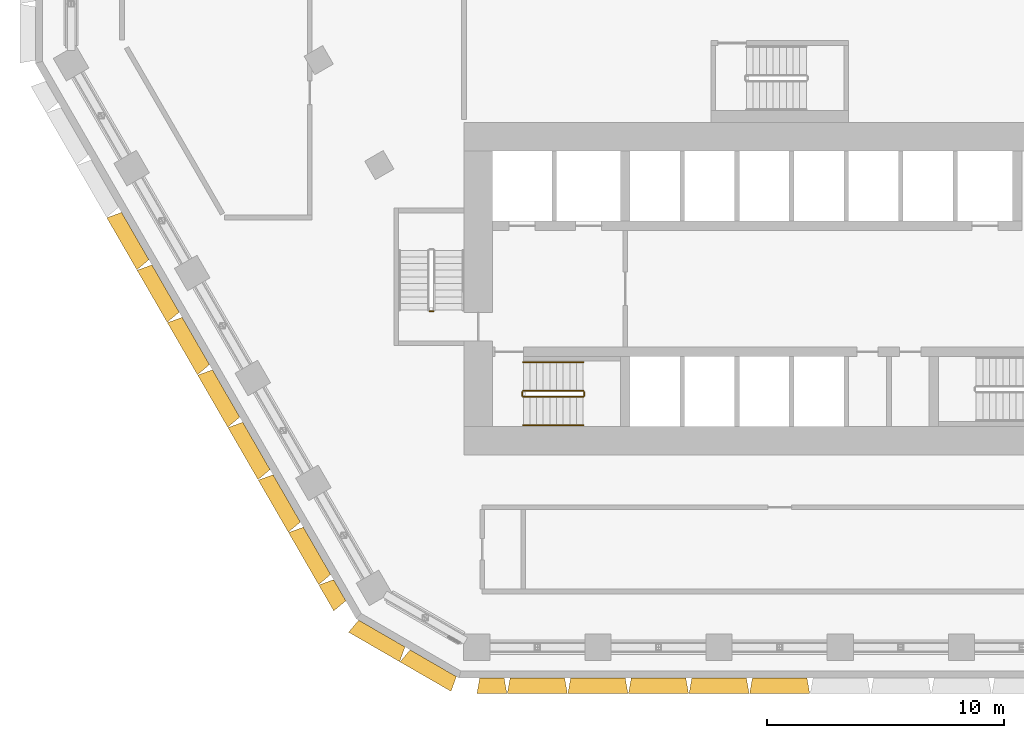
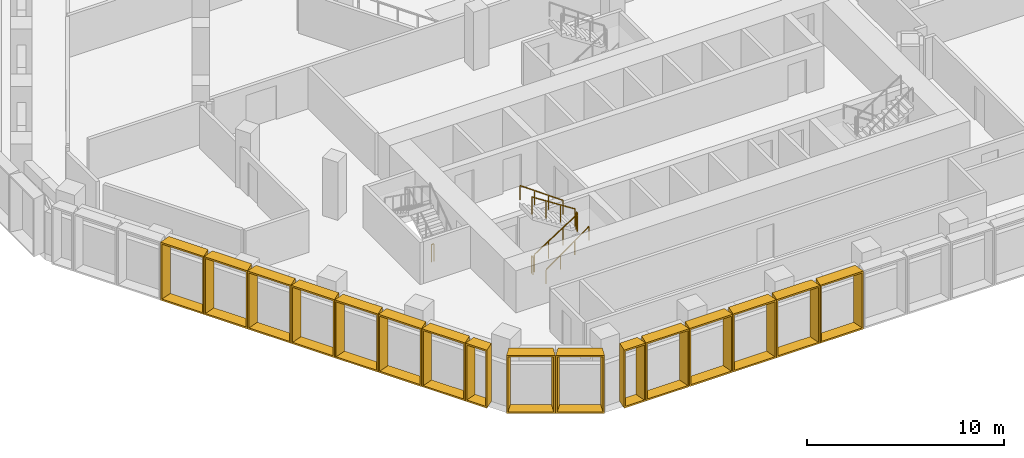
# One storey, part 19 of 22: 16 shading devices, 7 railings.
"""IFC4 building model written with IfcOpenShell, lengths in metres."""

from ifc_helpers import new_model, entity, si_unit, direction, frame, origin, origin_2d, place, context, subcontext, project, spatial, rectangle, extrude, source, transform, mapped, material, type_object, type_shapes, element, save


model = new_model("IFC4")

# Units and contexts
model_context = context("Model", 3, precision=1e-05, world=origin(), true_north=direction((0.0, 1.0)))
body_context = subcontext(model_context, "Body", "Model", "MODEL_VIEW")
ifc_project = project(units=[si_unit("LENGTHUNIT", "METRE"), si_unit("AREAUNIT", "SQUARE_METRE"), si_unit("VOLUMEUNIT", "CUBIC_METRE"), si_unit("PLANEANGLEUNIT", "RADIAN"), si_unit("MASSUNIT", "GRAM", prefix="KILO")], contexts=[model_context])

# Site, building, storey
site_placement = place(None, origin())
site = spatial("IfcSite", under=ifc_project, at=site_placement, CompositionType="ELEMENT")
building_placement = place(site_placement, origin())
building = spatial("IfcBuilding", under=site, at=building_placement, Name="Beryl Residences", CompositionType="ELEMENT")
storey_placement = place(building_placement, frame((0.0, 0.0, 62.39990234375)))
storey = spatial("IfcBuildingStorey", under=building, at=storey_placement, Name="L19", CompositionType="ELEMENT", Elevation=62.39990234375)

# Shading devices
ifc_material_1 = material(Name="Aluminium pale anodised", Category="aluminium")
shading_device_type_1 = type_object("IfcShadingDeviceType", Name="FR128-65A-H36 OUTER SKIN frame 650 mm deep, splay 10/10 deg, 1280 x 3600 mm cell", PredefinedType="USERDEFINED", material=ifc_material_1)
cartesian_point_1 = entity("IfcCartesianPoint", [-0.514892578125, 0.0])
cartesian_point_2 = entity("IfcCartesianPoint", [-0.433837890625, 0.10009765625])
cartesian_point_3 = entity("IfcCartesianPoint", [-0.629638671875, 0.0])
cartesian_point_4 = entity("IfcCartesianPoint", [-0.54833984375, 0.10009765625])
shared_shape_1 = source(origin(), body_context, "Body", "SweptSolid", [
    entity("IfcExtrudedAreaSolidTapered", entity("IfcArbitraryProfileDefWithVoids", "AREA", None, entity("IfcPolyline", [cartesian_point_1, entity("IfcCartesianPoint", [0.514892578125, 0.0]), entity("IfcCartesianPoint", [0.514892578125, 3.60009765625]), entity("IfcCartesianPoint", [-0.514892578125, 3.60009765625]), cartesian_point_1]), [entity("IfcPolyline", [cartesian_point_2, entity("IfcCartesianPoint", [0.433837890625, 0.10009765625]), entity("IfcCartesianPoint", [0.433837890625, 3.5]), entity("IfcCartesianPoint", [-0.433837890625, 3.5]), cartesian_point_2])]), entity("IfcAxis2Placement3D", entity("IfcCartesianPoint", [0.0, 0.0, 0.0]), entity("IfcDirection", [0.0, 1.0, 0.0]), entity("IfcDirection", [-1.0, 0.0, 0.0])), entity("IfcDirection", [0.0, 0.0, 1.0]), 0.64990234375, entity("IfcArbitraryProfileDefWithVoids", "AREA", None, entity("IfcPolyline", [cartesian_point_3, entity("IfcCartesianPoint", [0.629638671875, 0.0]), entity("IfcCartesianPoint", [0.629638671875, 3.60009765625]), entity("IfcCartesianPoint", [-0.629638671875, 3.60009765625]), cartesian_point_3]), [entity("IfcPolyline", [cartesian_point_4, entity("IfcCartesianPoint", [0.54833984375, 0.10009765625]), entity("IfcCartesianPoint", [0.54833984375, 3.5]), entity("IfcCartesianPoint", [-0.54833984375, 3.5]), cartesian_point_4])])),
])
type_shapes(shading_device_type_1, [shared_shape_1])
for number, where, z_axis, x_axis, name in (
    (1, (-18.533935546875, -24.698974609375, 0.0), (0.0, 0.0, 1.0), (-0.5, 0.866025403784, 0.0), "FR128-65A-H36 frame L19 SW 11"),
    (2, (-12.12109375, -28.39990234375, 0.0), (0.0, 0.0, 1.0), (-1.0, 0.0, 0.0), "FR128-65A-H36 frame L19 S 1"),
):
    element("IfcShadingDevice", number, at=place(storey_placement, frame(where, z_axis=z_axis, x_axis=x_axis)), inside=storey, type_object=shading_device_type_1, Name=name, ObjectType="OUTER SKIN", PredefinedType="USERDEFINED", context=body_context, shape_type="MappedRepresentation", body=[
        mapped(shared_shape_1, transform((0.0, 0.0, 0.0))),
    ])
ifc_material_2 = material(Name="Aluminium pale anodised", Category="aluminium")
shading_device_type_2 = type_object("IfcShadingDeviceType", Name="FR250-65A-H36 OUTER SKIN frame 650 mm deep, splay 10/10 deg, 2500 x 3600 mm cell", PredefinedType="USERDEFINED", material=ifc_material_2)
cartesian_point_5 = entity("IfcCartesianPoint", [-1.125, 0.0])
cartesian_point_6 = entity("IfcCartesianPoint", [-1.043701171875, 0.10009765625])
cartesian_point_7 = entity("IfcCartesianPoint", [-1.239501953125, 0.0])
cartesian_point_8 = entity("IfcCartesianPoint", [-1.158447265625, 0.10009765625])
shared_shape_2 = source(origin(), body_context, "Body", "SweptSolid", [
    entity("IfcExtrudedAreaSolidTapered", entity("IfcArbitraryProfileDefWithVoids", "AREA", None, entity("IfcPolyline", [cartesian_point_5, entity("IfcCartesianPoint", [1.125, 0.0]), entity("IfcCartesianPoint", [1.125, 3.60009765625]), entity("IfcCartesianPoint", [-1.125, 3.60009765625]), cartesian_point_5]), [entity("IfcPolyline", [cartesian_point_6, entity("IfcCartesianPoint", [1.043701171875, 0.10009765625]), entity("IfcCartesianPoint", [1.043701171875, 3.5]), entity("IfcCartesianPoint", [-1.043701171875, 3.5]), cartesian_point_6])]), entity("IfcAxis2Placement3D", entity("IfcCartesianPoint", [0.0, 0.0, 0.0]), entity("IfcDirection", [0.0, 1.0, 0.0]), entity("IfcDirection", [-1.0, 0.0, 0.0])), entity("IfcDirection", [0.0, 0.0, 1.0]), 0.64990234375, entity("IfcArbitraryProfileDefWithVoids", "AREA", None, entity("IfcPolyline", [cartesian_point_7, entity("IfcCartesianPoint", [1.239501953125, 0.0]), entity("IfcCartesianPoint", [1.239501953125, 3.60009765625]), entity("IfcCartesianPoint", [-1.239501953125, 3.60009765625]), cartesian_point_7]), [entity("IfcPolyline", [cartesian_point_8, entity("IfcCartesianPoint", [1.158447265625, 0.10009765625]), entity("IfcCartesianPoint", [1.158447265625, 3.5]), entity("IfcCartesianPoint", [-1.158447265625, 3.5]), cartesian_point_8])])),
])
type_shapes(shading_device_type_2, [shared_shape_2])
for number, where, z_axis, x_axis, name in (
    (3, (-16.758056640625, -26.52490234375, 0.0), (0.0, 0.0, 1.0), (-0.866025403784, 0.5, 0.0), "FR250-65A-H36 frame L19 SW-S 1"),
    (4, (-14.593017578125, -27.77490234375, 0.0), (0.0, 0.0, 1.0), (-0.866025403784, 0.5, 0.0), "FR250-65A-H36 frame L19 SW-S 2"),
):
    element("IfcShadingDevice", number, at=place(storey_placement, frame(where, z_axis=z_axis, x_axis=x_axis)), inside=storey, type_object=shading_device_type_2, Name=name, ObjectType="OUTER SKIN", PredefinedType="USERDEFINED", context=body_context, shape_type="MappedRepresentation", body=[
        mapped(shared_shape_2, transform((0.0, 0.0, 0.0))),
    ])
ifc_material_3 = material(Name="Aluminium pale anodised", Category="aluminium")
shading_device_type_3 = type_object("IfcShadingDeviceType", Name="FR255-65A-H36 OUTER SKIN frame 650 mm deep, splay 10/10 deg, 2550 x 3600 mm cell", PredefinedType="USERDEFINED", material=ifc_material_3)
cartesian_point_9 = entity("IfcCartesianPoint", [-1.14990234375, 0.0])
cartesian_point_10 = entity("IfcCartesianPoint", [-1.06884765625, 0.10009765625])
cartesian_point_11 = entity("IfcCartesianPoint", [-1.2646484375, 0.0])
cartesian_point_12 = entity("IfcCartesianPoint", [-1.183349609375, 0.10009765625])
shared_shape_3 = source(origin(), body_context, "Body", "SweptSolid", [
    entity("IfcExtrudedAreaSolidTapered", entity("IfcArbitraryProfileDefWithVoids", "AREA", None, entity("IfcPolyline", [cartesian_point_9, entity("IfcCartesianPoint", [1.14990234375, 0.0]), entity("IfcCartesianPoint", [1.14990234375, 3.60009765625]), entity("IfcCartesianPoint", [-1.14990234375, 3.60009765625]), cartesian_point_9]), [entity("IfcPolyline", [cartesian_point_10, entity("IfcCartesianPoint", [1.06884765625, 0.10009765625]), entity("IfcCartesianPoint", [1.06884765625, 3.5]), entity("IfcCartesianPoint", [-1.06884765625, 3.5]), cartesian_point_10])]), entity("IfcAxis2Placement3D", entity("IfcCartesianPoint", [0.0, 0.0, 0.0]), entity("IfcDirection", [0.0, 1.0, 0.0]), entity("IfcDirection", [-1.0, 0.0, 0.0])), entity("IfcDirection", [0.0, 0.0, 1.0]), 0.64990234375, entity("IfcArbitraryProfileDefWithVoids", "AREA", None, entity("IfcPolyline", [cartesian_point_11, entity("IfcCartesianPoint", [1.2646484375, 0.0]), entity("IfcCartesianPoint", [1.2646484375, 3.60009765625]), entity("IfcCartesianPoint", [-1.2646484375, 3.60009765625]), cartesian_point_11]), [entity("IfcPolyline", [cartesian_point_12, entity("IfcCartesianPoint", [1.183349609375, 0.10009765625]), entity("IfcCartesianPoint", [1.183349609375, 3.5]), entity("IfcCartesianPoint", [-1.183349609375, 3.5]), cartesian_point_12])])),
])
type_shapes(shading_device_type_3, [shared_shape_3])
for number, where, z_axis, x_axis, name in (
    (5, (-27.14599609375, -9.781005859375, 0.0), (0.0, 0.0, 1.0), (-0.5, 0.866025403784, 0.0), "FR255-65A-H36 frame L19 SW 4"),
    (6, (-25.8701171875, -11.990966796875, 0.0), (0.0, 0.0, 1.0), (-0.5, 0.866025403784, 0.0), "FR255-65A-H36 frame L19 SW 5"),
    (7, (-24.594970703125, -14.200927734375, 0.0), (0.0, 0.0, 1.0), (-0.5, 0.866025403784, 0.0), "FR255-65A-H36 frame L19 SW 6"),
    (8, (-23.319091796875, -16.410888671875, 0.0), (0.0, 0.0, 1.0), (-0.5, 0.866025403784, 0.0), "FR255-65A-H36 frame L19 SW 7"),
    (9, (-22.04296875, -18.62109375, 0.0), (0.0, 0.0, 1.0), (-0.5, 0.866025403784, 0.0), "FR255-65A-H36 frame L19 SW 8"),
    (10, (-20.76708984375, -20.8310546875, 0.0), (0.0, 0.0, 1.0), (-0.5, 0.866025403784, 0.0), "FR255-65A-H36 frame L19 SW 9"),
    (11, (-19.490966796875, -23.041015625, 0.0), (0.0, 0.0, 1.0), (-0.5, 0.866025403784, 0.0), "FR255-65A-H36 frame L19 SW 10"),
    (12, (-10.20703125, -28.39990234375, 0.0), (0.0, 0.0, 1.0), (-1.0, 0.0, 0.0), "FR255-65A-H36 frame L19 S 2"),
    (13, (-7.655029296875, -28.39990234375, 0.0), (0.0, 0.0, 1.0), (-1.0, 0.0, 0.0), "FR255-65A-H36 frame L19 S 3"),
    (14, (-5.10302734375, -28.39990234375, 0.0), (0.0, 0.0, 1.0), (-1.0, 0.0, 0.0), "FR255-65A-H36 frame L19 S 4"),
    (15, (-2.551025390625, -28.39990234375, 0.0), (0.0, 0.0, 1.0), (-1.0, 0.0, 0.0), "FR255-65A-H36 frame L19 S 5"),
    (16, (0.0009765625, -28.39990234375, 0.0), (0.0, 0.0, 1.0), (-1.0, 0.0, 0.0), "FR255-65A-H36 frame L19 S 6"),
):
    element("IfcShadingDevice", number, at=place(storey_placement, frame(where, z_axis=z_axis, x_axis=x_axis)), inside=storey, type_object=shading_device_type_3, Name=name, ObjectType="OUTER SKIN", PredefinedType="USERDEFINED", context=body_context, shape_type="MappedRepresentation", body=[
        mapped(shared_shape_3, transform((0.0, 0.0, 0.0))),
    ])

# Railings
ifc_material_4 = material(Name="Stainless steel balustrade with glass infill", Category="steel")
railing_type_1 = type_object("IfcRailingType", Name="SG1 stair guard 1100 mm", PredefinedType="GUARDRAIL", material=ifc_material_4)
railing_1_placement = place(storey_placement, frame((-10.800048828125, -16.550048828125, 0.18017578125)))
element("IfcRailing", 17, at=railing_1_placement, inside=storey, type_object=railing_type_1, Name="L19 ST-1 stair guard 1", PredefinedType="GUARDRAIL", context=body_context, shape_type="SweptSolid", body=[
    extrude(rectangle(XDim=0.048095703125, YDim=0.048095703125, at=origin_2d()), frame((0.0, 0.0, 1.076171875), z_axis=(0.841199657755, 0.0, 0.540724639528), x_axis=(0.0, 1.0, 0.0)), (0.0, 0.0, 1.0), 2.995849609375),
    extrude(rectangle(XDim=0.0419921875, YDim=0.0419921875, at=origin_2d()), origin(), (0.0, 0.0, 1.0), 1.052001953125),
    extrude(rectangle(XDim=0.0419921875, YDim=0.0419921875, at=origin_2d()), frame((0.840087890625, 0.0, 0.5400390625)), (0.0, 0.0, 1.0), 1.052001953125),
    extrude(rectangle(XDim=0.0419921875, YDim=0.0419921875, at=origin_2d()), frame((1.679931640625, 0.0, 1.079833984375)), (0.0, 0.0, 1.0), 1.052001953125),
    extrude(rectangle(XDim=0.0419921875, YDim=0.0419921875, at=origin_2d()), frame((2.52001953125, 0.0, 1.619873046875)), (0.0, 0.0, 1.0), 1.052001953125),
])
railing_2_placement = place(storey_placement, frame((-8.22998046875, -16.5, 1.800048828125)))
element("IfcRailing", 18, at=railing_2_placement, inside=storey, type_object=railing_type_1, Name="L19 ST-1 stair guard 2", PredefinedType="GUARDRAIL", context=body_context, shape_type="SweptSolid", body=[
    extrude(rectangle(XDim=0.048095703125, YDim=0.048095703125, at=origin_2d()), frame((0.0, 0.0, 1.076171875), z_axis=(0.0, 1.0, 0.0), x_axis=(-1.0, 0.0, 0.0)), (0.0, 0.0, 1.0), 0.14990234375),
    extrude(rectangle(XDim=0.0419921875, YDim=0.0419921875, at=origin_2d()), origin(), (0.0, 0.0, 1.0), 1.052001953125),
    extrude(rectangle(XDim=0.0419921875, YDim=0.0419921875, at=origin_2d()), frame((0.0, 0.14990234375, 0.0)), (0.0, 0.0, 1.0), 1.052001953125),
])
railing_3_placement = place(storey_placement, frame((-8.280029296875, -16.300048828125, 1.97998046875)))
element("IfcRailing", 19, at=railing_3_placement, inside=storey, type_object=railing_type_1, Name="L19 ST-1 stair guard 3", PredefinedType="GUARDRAIL", context=body_context, shape_type="SweptSolid", body=[
    extrude(rectangle(XDim=0.048095703125, YDim=0.048095703125, at=origin_2d()), frame((0.0, 0.0, 1.076171875), z_axis=(-0.841162588446, 0.0, 0.540782303519), x_axis=(0.0, -1.0, 0.0)), (0.0, 0.0, 1.0), 2.995849609375),
    extrude(rectangle(XDim=0.0419921875, YDim=0.0419921875, at=origin_2d()), origin(), (0.0, 0.0, 1.0), 1.052001953125),
    extrude(rectangle(XDim=0.0419921875, YDim=0.0419921875, at=origin_2d()), frame((-0.840087890625, 0.0, 0.5400390625)), (0.0, 0.0, 1.0), 1.052001953125),
    extrude(rectangle(XDim=0.0419921875, YDim=0.0419921875, at=origin_2d()), frame((-1.679931640625, 0.0, 1.080078125)), (0.0, 0.0, 1.0), 1.052001953125),
    extrude(rectangle(XDim=0.0419921875, YDim=0.0419921875, at=origin_2d()), frame((-2.52001953125, 0.0, 1.6201171875)), (0.0, 0.0, 1.0), 1.052001953125),
])
railing_4_placement = place(storey_placement, frame((-10.85009765625, -16.5, 0.0)))
element("IfcRailing", 20, at=railing_4_placement, inside=storey, type_object=railing_type_1, Name="L19 ST-1 stair guard 4", PredefinedType="GUARDRAIL", context=body_context, shape_type="SweptSolid", body=[
    extrude(rectangle(XDim=0.048095703125, YDim=0.048095703125, at=origin_2d()), frame((0.0, 0.0, 1.076171875), z_axis=(0.0, 1.0, 0.0), x_axis=(-1.0, 0.0, 0.0)), (0.0, 0.0, 1.0), 0.14990234375),
    extrude(rectangle(XDim=0.0419921875, YDim=0.0419921875, at=origin_2d()), origin(), (0.0, 0.0, 1.0), 1.052001953125),
    extrude(rectangle(XDim=0.0419921875, YDim=0.0419921875, at=origin_2d()), frame((0.0, 0.14990234375, 0.0)), (0.0, 0.0, 1.0), 1.052001953125),
])
railing_5_placement = place(storey_placement, frame((-14.60009765625, -12.949951171875, 0.0)))
element("IfcRailing", 21, at=railing_5_placement, inside=storey, type_object=railing_type_1, Name="L19 ST-2 stair guard 4", PredefinedType="GUARDRAIL", context=body_context, shape_type="SweptSolid", body=[
    extrude(rectangle(XDim=0.048095703125, YDim=0.048095703125, at=origin_2d()), frame((0.0, 0.0, 1.076171875), z_axis=(-1.0, 0.0, 0.0), x_axis=(0.0, -1.0, 0.0)), (0.0, 0.0, 1.0), 0.14990234375),
    extrude(rectangle(XDim=0.0419921875, YDim=0.0419921875, at=origin_2d()), origin(), (0.0, 0.0, 1.0), 1.052001953125),
    extrude(rectangle(XDim=0.0419921875, YDim=0.0419921875, at=origin_2d()), frame((-0.14990234375, 0.0, 0.0)), (0.0, 0.0, 1.0), 1.052001953125),
])
ifc_material_5 = material(Name="Stainless steel handrail", Category="steel")
railing_type_2 = type_object("IfcRailingType", Name="SRL1 stair handrail 900 mm", PredefinedType="HANDRAIL", material=ifc_material_5)
railing_6_placement = place(storey_placement, frame((-10.800048828125, -17.75, 0.18017578125)))
element("IfcRailing", 22, at=railing_6_placement, inside=storey, type_object=railing_type_2, Name="L19 ST-1 stair handrail 1", PredefinedType="HANDRAIL", context=body_context, shape_type="SweptSolid", body=[
    extrude(rectangle(XDim=0.048095703125, YDim=0.048095703125, at=origin_2d()), frame((0.0, 0.0, 0.8759765625), z_axis=(0.813765431312, 0.0, 0.581193446971), x_axis=(0.0, 1.0, 0.0)), (0.0, 0.0, 1.0), 3.0966796875),
    extrude(rectangle(XDim=0.0419921875, YDim=0.0419921875, at=origin_2d()), origin(), (0.0, 0.0, 1.0), 0.851806640625),
    extrude(rectangle(XDim=0.0419921875, YDim=0.0419921875, at=origin_2d()), frame((0.840087890625, 0.0, 0.599853515625)), (0.0, 0.0, 1.0), 0.851806640625),
    extrude(rectangle(XDim=0.0419921875, YDim=0.0419921875, at=origin_2d()), frame((1.679931640625, 0.0, 1.199951171875)), (0.0, 0.0, 1.0), 0.851806640625),
    extrude(rectangle(XDim=0.0419921875, YDim=0.0419921875, at=origin_2d()), frame((2.52001953125, 0.0, 1.7998046875)), (0.0, 0.0, 1.0), 0.851806640625),
])
railing_7_placement = place(storey_placement, frame((-8.280029296875, -15.10009765625, 1.97998046875)))
element("IfcRailing", 23, at=railing_7_placement, inside=storey, type_object=railing_type_2, Name="L19 ST-1 stair handrail 2", PredefinedType="HANDRAIL", context=body_context, shape_type="SweptSolid", body=[
    extrude(rectangle(XDim=0.048095703125, YDim=0.048095703125, at=origin_2d()), frame((0.0, 0.0, 0.8759765625), z_axis=(-0.813728144527, 0.0, 0.581245650998), x_axis=(0.0, -1.0, 0.0)), (0.0, 0.0, 1.0), 3.096923828125),
    extrude(rectangle(XDim=0.0419921875, YDim=0.0419921875, at=origin_2d()), origin(), (0.0, 0.0, 1.0), 0.851806640625),
    extrude(rectangle(XDim=0.0419921875, YDim=0.0419921875, at=origin_2d()), frame((-0.840087890625, 0.0, 0.60009765625)), (0.0, 0.0, 1.0), 0.851806640625),
    extrude(rectangle(XDim=0.0419921875, YDim=0.0419921875, at=origin_2d()), frame((-1.679931640625, 0.0, 1.199951171875)), (0.0, 0.0, 1.0), 0.851806640625),
    extrude(rectangle(XDim=0.0419921875, YDim=0.0419921875, at=origin_2d()), frame((-2.52001953125, 0.0, 1.800048828125)), (0.0, 0.0, 1.0), 0.851806640625),
])

save(model, "model.ifc")
